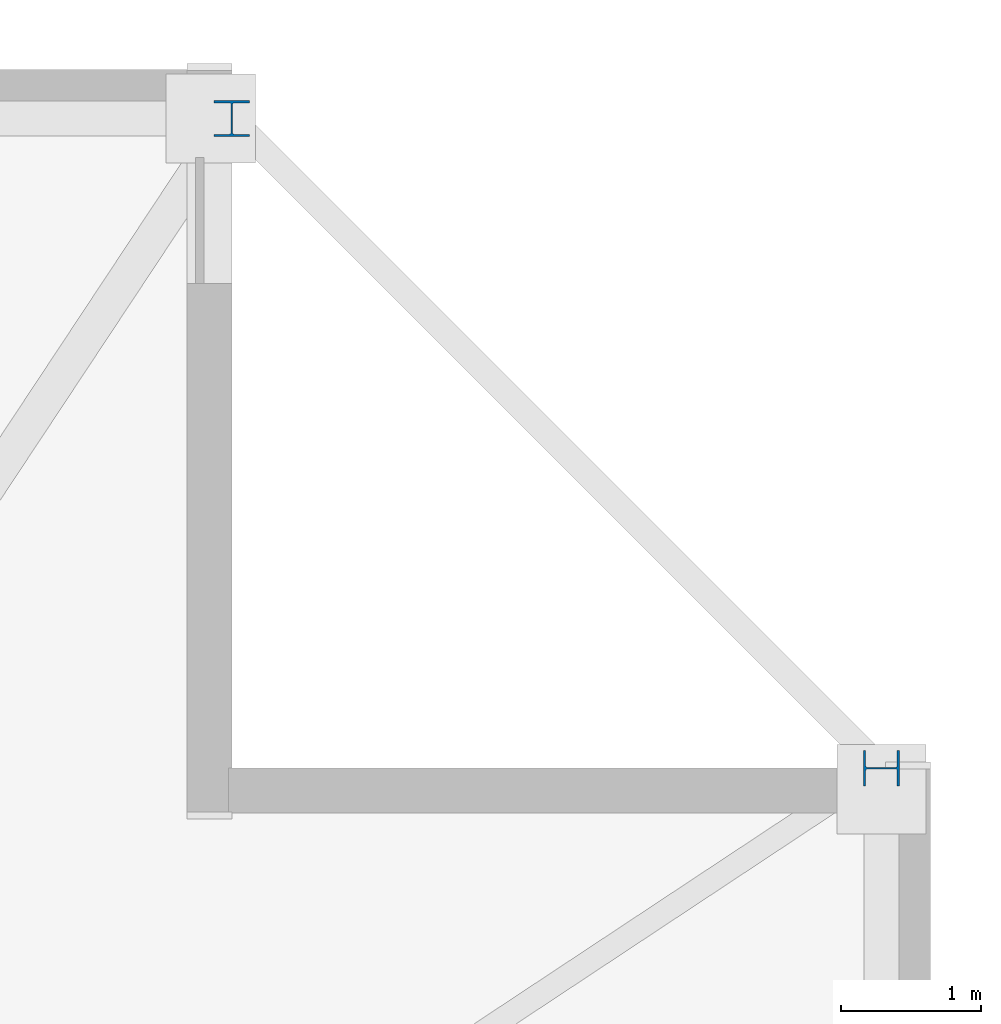
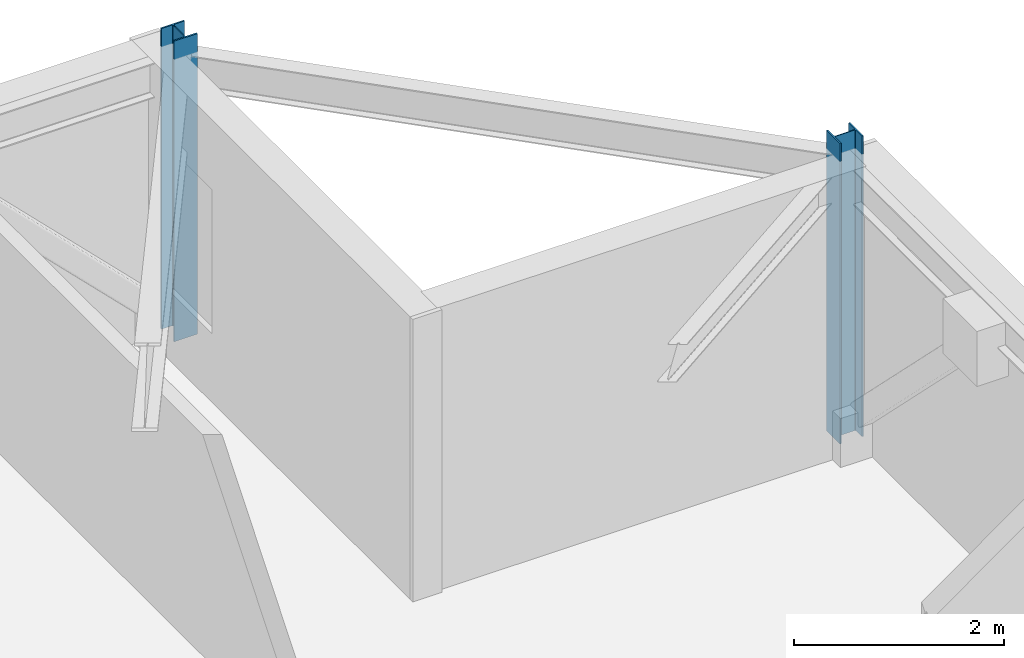
# One storey, part 5 of 17: 2 columns.
"""IFC4 building model written with IfcOpenShell, lengths in metres."""

import ifcopenshell
import ifcopenshell.guid

model = None  # the IFC model being written
_history = None  # IfcOwnerHistory: only IFC2X3 demands one
_inside = {}  # id of a spatial element -> (the spatial element, [elements in it])
_under = {}  # id of a project, library or spatial element -> (it, [spatial elements below it])
_declared = {}  # id of a project -> (the project, [libraries it declares])
_typed = {}  # id of a type object -> (the type object, [elements of that type])
_made_of = {}  # id of a material, layer set ... -> (it, [elements and type objects made of it])


def new_model(schema):
    """Start an empty IFC model of exactly this schema.

    Asked for "IFC4X3", IfcOpenShell would pick the latest addendum, in which some entities
    have other attributes; the version numbers below select the first issue.
    IFC2X3 requires an IfcOwnerHistory on every rooted entity: one is made here for all.
    """
    global model, _history
    if schema == "IFC4X3":
        model = ifcopenshell.file(schema_version=(4, 3, 0, 0))
    else:
        model = ifcopenshell.file(schema=schema)
    _inside.clear()
    _under.clear()
    _declared.clear()
    _typed.clear()
    _made_of.clear()
    _history = None
    if model.schema == "IFC2X3":
        org = make("IfcOrganization", Name="unknown")
        user = make(
            "IfcPersonAndOrganization",
            ThePerson=make("IfcPerson", FamilyName="unknown"),
            TheOrganization=org,
        )
        app = make(
            "IfcApplication",
            ApplicationDeveloper=org,
            Version="unknown",
            ApplicationFullName="unknown",
            ApplicationIdentifier="unknown",
        )
        _history = make(
            "IfcOwnerHistory",
            OwningUser=user,
            OwningApplication=app,
            ChangeAction="ADDED",
            CreationDate=0,
        )
    return model


def make(cls, **values):
    """One entity of the class cls with the attributes given. An attribute that is None is left unset."""
    return model.create_entity(
        cls, **{name: value for name, value in values.items() if value is not None}
    )


def rooted(cls, **values):
    """An entity with a GlobalId (a new one), such as an element, a storey or a relation."""
    return make(cls, GlobalId=ifcopenshell.guid.new(), OwnerHistory=_history, **values)


def si_unit(unit_type, name, prefix=None):
    """IfcSIUnit, for example si_unit("LENGTHUNIT", "METRE", prefix="MILLI")."""
    return make("IfcSIUnit", UnitType=unit_type, Prefix=prefix, Name=name)


def assignment(units):
    """IfcUnitAssignment: the units of a project."""
    return None if units is None else make("IfcUnitAssignment", Units=units)


def point(xyz):
    """IfcCartesianPoint."""
    return None if xyz is None else make("IfcCartesianPoint", Coordinates=xyz)


def direction(xyz):
    """IfcDirection."""
    return None if xyz is None else make("IfcDirection", DirectionRatios=xyz)


def frame(location, z_axis=None, x_axis=None):
    """IfcAxis2Placement3D, a coordinate frame: its origin and axes. An axis left out is left unset."""
    return make(
        "IfcAxis2Placement3D",
        Location=point(location),
        Axis=direction(z_axis),
        RefDirection=direction(x_axis),
    )


def frame_2d(location, x_axis=None):
    """IfcAxis2Placement2D, a coordinate frame in the plane: its origin and x axis."""
    return make(
        "IfcAxis2Placement2D", Location=point(location), RefDirection=direction(x_axis)
    )


def origin():
    """The frame at (0, 0, 0) with its axes left unset."""
    return frame((0.0, 0.0, 0.0))


def origin_2d():
    """The frame at (0, 0) in the plane with its x axis left unset."""
    return frame_2d((0.0, 0.0))


def place(relative_to, where):
    """IfcLocalPlacement: puts the frame where relative to a parent placement (None: the world)."""
    return make(
        "IfcLocalPlacement", PlacementRelTo=relative_to, RelativePlacement=where
    )


def context(
    kind, dimensions, precision=None, world=None, true_north=None, identifier=None
):
    """IfcGeometricRepresentationContext, for example the 3D "Model" context."""
    return make(
        "IfcGeometricRepresentationContext",
        ContextIdentifier=identifier,
        ContextType=kind,
        CoordinateSpaceDimension=dimensions,
        Precision=precision,
        WorldCoordinateSystem=world,
        TrueNorth=true_north,
    )


def subcontext(parent, identifier, kind, view, scale=None):
    """IfcGeometricRepresentationSubContext, for example "Body" below "Model"."""
    return make(
        "IfcGeometricRepresentationSubContext",
        ContextIdentifier=identifier,
        ContextType=kind,
        ParentContext=parent,
        TargetScale=scale,
        TargetView=view,
    )


def project(units=None, contexts=None):
    """IfcProject with its units and contexts."""
    return rooted(
        "IfcProject",
        Name="project",
        RepresentationContexts=contexts,
        UnitsInContext=assignment(units),
    )


def spatial(cls, under=None, at=None, **own):
    """A site, building, storey or space (cls), placed at a placement, below another one or the project."""
    s = rooted(cls, ObjectPlacement=at, **own)
    if under is not None:
        _under.setdefault(under.id(), (under, []))[1].append(s)
    return s


def profile(cls, at=None, kind="AREA", **sizes):
    """A parametric profile (cls). Its sizes go by their IFC names, for example OverallWidth=200.0."""
    return make(cls, ProfileType=kind, Position=at, **sizes)


def i_section(**sizes):
    """IfcIShapeProfileDef."""
    return profile("IfcIShapeProfileDef", **sizes)


def extrude(swept, where, along, depth):
    """IfcExtrudedAreaSolid: the profile swept, set in the frame where, extruded along a direction by depth."""
    return make(
        "IfcExtrudedAreaSolid",
        SweptArea=swept,
        Position=where,
        ExtrudedDirection=direction(along),
        Depth=depth,
    )


def shape(context_of_items, identifier, shape_type, items):
    """IfcShapeRepresentation: the items that make up one representation, for example the "Body"."""
    return make(
        "IfcShapeRepresentation",
        ContextOfItems=context_of_items,
        RepresentationIdentifier=identifier,
        RepresentationType=shape_type,
        Items=items,
    )


def material(Name=None, Category=None):
    """IfcMaterial."""
    return make("IfcMaterial", Name=Name, Category=Category)


def material_profile(
    of_material, cross_section, Name=None, Category=None, Priority=None
):
    """IfcMaterialProfile: a cross section and its material."""
    return make(
        "IfcMaterialProfile",
        Name=Name,
        Material=of_material,
        Profile=cross_section,
        Priority=Priority,
        Category=Category,
    )


def profile_set(profiles, Name=None, composite=None):
    """IfcMaterialProfileSet."""
    return make(
        "IfcMaterialProfileSet",
        Name=Name,
        MaterialProfiles=profiles,
        CompositeProfile=composite,
    )


def made_of(thing, what):
    """Note that an element or type object is made of a material, layer set ...; save() writes the relation."""
    if what is not None:
        _made_of.setdefault(what.id(), (what, []))[1].append(thing)
    return thing


def type_object(cls, material=None, **own):
    """A type object (cls), such as IfcWallType, which elements share."""
    return made_of(rooted(cls, **own), material)


def element(
    cls,
    number,
    at=None,
    inside=None,
    cuts=None,
    type_object=None,
    material=None,
    context=None,
    identifier="Body",
    shape_type=None,
    held_by="IfcProductDefinitionShape",
    body=None,
    shapes=None,
    **own,
):
    """One element of the class cls, such as IfcWall. Its Tag is "e" and its number.

    at: its placement. inside: the storey or other place that contains it. cuts: it is an
    opening in that element (IfcRelVoidsElement). A single representation is given by context,
    identifier, shape_type and body (its items); several are given by shapes. held_by: the class
    of the entity that holds the representations. save() writes the other relations.
    """
    e = rooted(cls, Tag="e%d" % number, ObjectPlacement=at, **own)
    if body is not None:
        shapes = [shape(context, identifier, shape_type, body)]
    if shapes is not None:
        e.Representation = make(held_by, Representations=shapes)
    if inside is not None:
        _inside.setdefault(inside.id(), (inside, []))[1].append(e)
    if cuts is not None:
        rooted(
            "IfcRelVoidsElement", RelatingBuildingElement=cuts, RelatedOpeningElement=e
        )
    if type_object is not None:
        _typed.setdefault(type_object.id(), (type_object, []))[1].append(e)
    return made_of(e, material)


def aggregate(whole, parts):
    """IfcRelAggregates: a whole, such as a stair, and the parts it consists of."""
    return rooted("IfcRelAggregates", RelatingObject=whole, RelatedObjects=parts)


def save(model, path):
    """Write the relations noted so far, then the file.

    IfcRelAggregates (storeys below a building ...), IfcRelContainedInSpatialStructure (elements
    in a storey), IfcRelDefinesByType, IfcRelAssociatesMaterial and IfcRelDeclares: one each for
    every whole, place, type object, material and project.
    """
    for whole, parts in _under.values():
        aggregate(whole, parts)
    for where, things in _inside.values():
        rooted(
            "IfcRelContainedInSpatialStructure",
            RelatedElements=things,
            RelatingStructure=where,
        )
    for kind, things in _typed.values():
        rooted("IfcRelDefinesByType", RelatedObjects=things, RelatingType=kind)
    for what, things in _made_of.values():
        rooted("IfcRelAssociatesMaterial", RelatedObjects=things, RelatingMaterial=what)
    for by, libraries in _declared.values():
        rooted("IfcRelDeclares", RelatingContext=by, RelatedDefinitions=libraries)
    model.write(path)


model = new_model("IFC4")

# Units and contexts
model_context = context("Model", 3, precision=1e-05, world=origin(), true_north=direction((0.0, 1.0)))
body_context = subcontext(model_context, "Body", "Model", "MODEL_VIEW")
ifc_project = project(units=[si_unit("LENGTHUNIT", "METRE"), si_unit("AREAUNIT", "SQUARE_METRE"), si_unit("VOLUMEUNIT", "CUBIC_METRE"), si_unit("PLANEANGLEUNIT", "RADIAN"), si_unit("MASSUNIT", "GRAM", prefix="KILO")], contexts=[model_context])

# Site, building, storey
site_placement = place(None, origin())
site = spatial("IfcSite", under=ifc_project, at=site_placement, CompositionType="ELEMENT")
building_placement = place(site_placement, origin())
building = spatial("IfcBuilding", under=site, at=building_placement, Name="Cairnveth Concourse Tower", CompositionType="ELEMENT")
storey_placement = place(building_placement, frame((0.0, 0.0, 251.5)))
storey = spatial("IfcBuildingStorey", under=building, at=storey_placement, Name="L69", CompositionType="ELEMENT", Elevation=251.5)

# Columns
ifc_material = material(Name="Steel Grade 350", Category="steel")
ifc_material_profile = material_profile(ifc_material, i_section(OverallWidth=0.256103515625, OverallDepth=0.260009765625, WebThickness=0.010498046875, FlangeThickness=0.017333984375, FilletRadius=0.012939453125, at=origin_2d()), Name="250UC89.5")
ifc_profile_set = profile_set([ifc_material_profile], Name="Steel Grade 350")
column_type = type_object("IfcColumnType", Name="UNIVERSAL STEEL COLUMN 250UC89.5", PredefinedType="COLUMN", material=ifc_profile_set)
for number, where, z_axis, x_axis, name in (
    (1, (74.14990234375, 56.5, 0.0), (0.0, 0.0, 1.0), (0.0, 1.0, 0.0), "Column P-E4 L69"),
    (2, (69.5, 61.14990234375, 0.0), (0.0, 0.0, 1.0), (1.0, 0.0, 0.0), "Column P-N1 L69"),
):
    element("IfcColumn", number, at=place(storey_placement, frame(where, z_axis=z_axis, x_axis=x_axis)), inside=storey, type_object=column_type, Name=name, PredefinedType="COLUMN", context=body_context, shape_type="SweptSolid", body=[
        extrude(i_section(OverallWidth=0.256103515625, OverallDepth=0.260009765625, WebThickness=0.010498046875, FlangeThickness=0.017333984375, FilletRadius=0.012939453125, at=origin_2d()), origin(), (0.0, 0.0, 1.0), 3.5),
    ])

save(model, "model.ifc")
